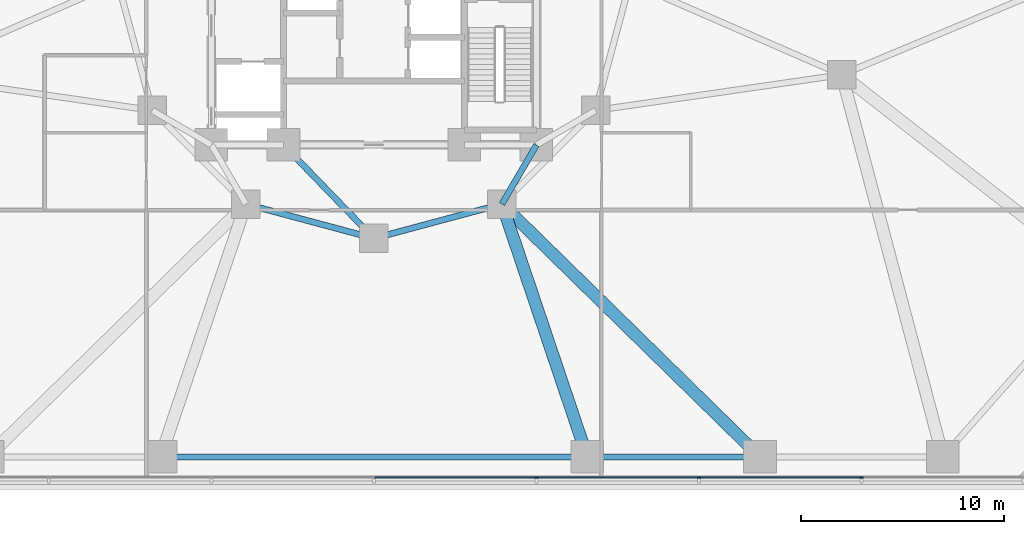
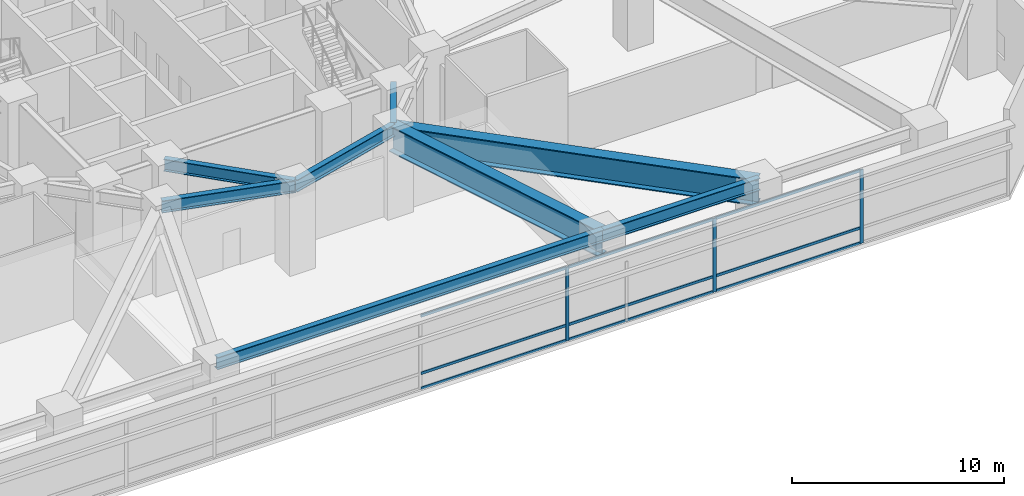
# One storey, part 7 of 27: 12 members, 8 beams, 1 element without a shape of its own.
"""IFC4 building model written with IfcOpenShell, lengths in metres."""

import ifcopenshell
import ifcopenshell.guid

model = None  # the IFC model being written
_history = None  # IfcOwnerHistory: only IFC2X3 demands one
_inside = {}  # id of a spatial element -> (the spatial element, [elements in it])
_under = {}  # id of a project, library or spatial element -> (it, [spatial elements below it])
_declared = {}  # id of a project -> (the project, [libraries it declares])
_typed = {}  # id of a type object -> (the type object, [elements of that type])
_made_of = {}  # id of a material, layer set ... -> (it, [elements and type objects made of it])


def new_model(schema):
    """Start an empty IFC model of exactly this schema.

    Asked for "IFC4X3", IfcOpenShell would pick the latest addendum, in which some entities
    have other attributes; the version numbers below select the first issue.
    IFC2X3 requires an IfcOwnerHistory on every rooted entity: one is made here for all.
    """
    global model, _history
    if schema == "IFC4X3":
        model = ifcopenshell.file(schema_version=(4, 3, 0, 0))
    else:
        model = ifcopenshell.file(schema=schema)
    _inside.clear()
    _under.clear()
    _declared.clear()
    _typed.clear()
    _made_of.clear()
    _history = None
    if model.schema == "IFC2X3":
        org = make("IfcOrganization", Name="unknown")
        user = make(
            "IfcPersonAndOrganization",
            ThePerson=make("IfcPerson", FamilyName="unknown"),
            TheOrganization=org,
        )
        app = make(
            "IfcApplication",
            ApplicationDeveloper=org,
            Version="unknown",
            ApplicationFullName="unknown",
            ApplicationIdentifier="unknown",
        )
        _history = make(
            "IfcOwnerHistory",
            OwningUser=user,
            OwningApplication=app,
            ChangeAction="ADDED",
            CreationDate=0,
        )
    return model


def make(cls, **values):
    """One entity of the class cls with the attributes given. An attribute that is None is left unset."""
    return model.create_entity(
        cls, **{name: value for name, value in values.items() if value is not None}
    )


def rooted(cls, **values):
    """An entity with a GlobalId (a new one), such as an element, a storey or a relation."""
    return make(cls, GlobalId=ifcopenshell.guid.new(), OwnerHistory=_history, **values)


def si_unit(unit_type, name, prefix=None):
    """IfcSIUnit, for example si_unit("LENGTHUNIT", "METRE", prefix="MILLI")."""
    return make("IfcSIUnit", UnitType=unit_type, Prefix=prefix, Name=name)


def assignment(units):
    """IfcUnitAssignment: the units of a project."""
    return None if units is None else make("IfcUnitAssignment", Units=units)


def point(xyz):
    """IfcCartesianPoint."""
    return None if xyz is None else make("IfcCartesianPoint", Coordinates=xyz)


def direction(xyz):
    """IfcDirection."""
    return None if xyz is None else make("IfcDirection", DirectionRatios=xyz)


def frame(location, z_axis=None, x_axis=None):
    """IfcAxis2Placement3D, a coordinate frame: its origin and axes. An axis left out is left unset."""
    return make(
        "IfcAxis2Placement3D",
        Location=point(location),
        Axis=direction(z_axis),
        RefDirection=direction(x_axis),
    )


def frame_2d(location, x_axis=None):
    """IfcAxis2Placement2D, a coordinate frame in the plane: its origin and x axis."""
    return make(
        "IfcAxis2Placement2D", Location=point(location), RefDirection=direction(x_axis)
    )


def origin():
    """The frame at (0, 0, 0) with its axes left unset."""
    return frame((0.0, 0.0, 0.0))


def origin_2d():
    """The frame at (0, 0) in the plane with its x axis left unset."""
    return frame_2d((0.0, 0.0))


def place(relative_to, where):
    """IfcLocalPlacement: puts the frame where relative to a parent placement (None: the world)."""
    return make(
        "IfcLocalPlacement", PlacementRelTo=relative_to, RelativePlacement=where
    )


def context(
    kind, dimensions, precision=None, world=None, true_north=None, identifier=None
):
    """IfcGeometricRepresentationContext, for example the 3D "Model" context."""
    return make(
        "IfcGeometricRepresentationContext",
        ContextIdentifier=identifier,
        ContextType=kind,
        CoordinateSpaceDimension=dimensions,
        Precision=precision,
        WorldCoordinateSystem=world,
        TrueNorth=true_north,
    )


def subcontext(parent, identifier, kind, view, scale=None):
    """IfcGeometricRepresentationSubContext, for example "Body" below "Model"."""
    return make(
        "IfcGeometricRepresentationSubContext",
        ContextIdentifier=identifier,
        ContextType=kind,
        ParentContext=parent,
        TargetScale=scale,
        TargetView=view,
    )


def project(units=None, contexts=None):
    """IfcProject with its units and contexts."""
    return rooted(
        "IfcProject",
        Name="project",
        RepresentationContexts=contexts,
        UnitsInContext=assignment(units),
    )


def spatial(cls, under=None, at=None, **own):
    """A site, building, storey or space (cls), placed at a placement, below another one or the project."""
    s = rooted(cls, ObjectPlacement=at, **own)
    if under is not None:
        _under.setdefault(under.id(), (under, []))[1].append(s)
    return s


def profile(cls, at=None, kind="AREA", **sizes):
    """A parametric profile (cls). Its sizes go by their IFC names, for example OverallWidth=200.0."""
    return make(cls, ProfileType=kind, Position=at, **sizes)


def rectangle(**sizes):
    """IfcRectangleProfileDef."""
    return profile("IfcRectangleProfileDef", **sizes)


def i_section(**sizes):
    """IfcIShapeProfileDef."""
    return profile("IfcIShapeProfileDef", **sizes)


def extrude(swept, where, along, depth):
    """IfcExtrudedAreaSolid: the profile swept, set in the frame where, extruded along a direction by depth."""
    return make(
        "IfcExtrudedAreaSolid",
        SweptArea=swept,
        Position=where,
        ExtrudedDirection=direction(along),
        Depth=depth,
    )


def shape(context_of_items, identifier, shape_type, items):
    """IfcShapeRepresentation: the items that make up one representation, for example the "Body"."""
    return make(
        "IfcShapeRepresentation",
        ContextOfItems=context_of_items,
        RepresentationIdentifier=identifier,
        RepresentationType=shape_type,
        Items=items,
    )


def material(Name=None, Category=None):
    """IfcMaterial."""
    return make("IfcMaterial", Name=Name, Category=Category)


def layer(
    of_material, thickness, ventilated=None, Name=None, Category=None, Priority=None
):
    """IfcMaterialLayer: one layer of a wall or slab, of a material (None: an air gap)."""
    return make(
        "IfcMaterialLayer",
        Material=of_material,
        LayerThickness=thickness,
        IsVentilated=ventilated,
        Name=Name,
        Category=Category,
        Priority=Priority,
    )


def layer_set(layers, Name=None):
    """IfcMaterialLayerSet."""
    return make("IfcMaterialLayerSet", MaterialLayers=layers, LayerSetName=Name)


def material_profile(
    of_material, cross_section, Name=None, Category=None, Priority=None
):
    """IfcMaterialProfile: a cross section and its material."""
    return make(
        "IfcMaterialProfile",
        Name=Name,
        Material=of_material,
        Profile=cross_section,
        Priority=Priority,
        Category=Category,
    )


def profile_set(profiles, Name=None, composite=None):
    """IfcMaterialProfileSet."""
    return make(
        "IfcMaterialProfileSet",
        Name=Name,
        MaterialProfiles=profiles,
        CompositeProfile=composite,
    )


def made_of(thing, what):
    """Note that an element or type object is made of a material, layer set ...; save() writes the relation."""
    if what is not None:
        _made_of.setdefault(what.id(), (what, []))[1].append(thing)
    return thing


def type_object(cls, material=None, **own):
    """A type object (cls), such as IfcWallType, which elements share."""
    return made_of(rooted(cls, **own), material)


def element(
    cls,
    number,
    at=None,
    inside=None,
    cuts=None,
    type_object=None,
    material=None,
    context=None,
    identifier="Body",
    shape_type=None,
    held_by="IfcProductDefinitionShape",
    body=None,
    shapes=None,
    **own,
):
    """One element of the class cls, such as IfcWall. Its Tag is "e" and its number.

    at: its placement. inside: the storey or other place that contains it. cuts: it is an
    opening in that element (IfcRelVoidsElement). A single representation is given by context,
    identifier, shape_type and body (its items); several are given by shapes. held_by: the class
    of the entity that holds the representations. save() writes the other relations.
    """
    e = rooted(cls, Tag="e%d" % number, ObjectPlacement=at, **own)
    if body is not None:
        shapes = [shape(context, identifier, shape_type, body)]
    if shapes is not None:
        e.Representation = make(held_by, Representations=shapes)
    if inside is not None:
        _inside.setdefault(inside.id(), (inside, []))[1].append(e)
    if cuts is not None:
        rooted(
            "IfcRelVoidsElement", RelatingBuildingElement=cuts, RelatedOpeningElement=e
        )
    if type_object is not None:
        _typed.setdefault(type_object.id(), (type_object, []))[1].append(e)
    return made_of(e, material)


def aggregate(whole, parts):
    """IfcRelAggregates: a whole, such as a stair, and the parts it consists of."""
    return rooted("IfcRelAggregates", RelatingObject=whole, RelatedObjects=parts)


def save(model, path):
    """Write the relations noted so far, then the file.

    IfcRelAggregates (storeys below a building ...), IfcRelContainedInSpatialStructure (elements
    in a storey), IfcRelDefinesByType, IfcRelAssociatesMaterial and IfcRelDeclares: one each for
    every whole, place, type object, material and project.
    """
    for whole, parts in _under.values():
        aggregate(whole, parts)
    for where, things in _inside.values():
        rooted(
            "IfcRelContainedInSpatialStructure",
            RelatedElements=things,
            RelatingStructure=where,
        )
    for kind, things in _typed.values():
        rooted("IfcRelDefinesByType", RelatedObjects=things, RelatingType=kind)
    for what, things in _made_of.values():
        rooted("IfcRelAssociatesMaterial", RelatedObjects=things, RelatingMaterial=what)
    for by, libraries in _declared.values():
        rooted("IfcRelDeclares", RelatingContext=by, RelatedDefinitions=libraries)
    model.write(path)


model = new_model("IFC4")

# Units and contexts
model_context = context("Model", 3, precision=1e-05, world=origin(), true_north=direction((0.0, 1.0)))
body_context = subcontext(model_context, "Body", "Model", "MODEL_VIEW")
ifc_project = project(units=[si_unit("LENGTHUNIT", "METRE"), si_unit("AREAUNIT", "SQUARE_METRE"), si_unit("VOLUMEUNIT", "CUBIC_METRE"), si_unit("PLANEANGLEUNIT", "RADIAN"), si_unit("MASSUNIT", "GRAM", prefix="KILO")], contexts=[model_context])

# Site, building, storey
site_placement = place(None, origin())
site = spatial("IfcSite", under=ifc_project, at=site_placement, CompositionType="ELEMENT")
building_placement = place(site_placement, origin())
building = spatial("IfcBuilding", under=site, at=building_placement, Name="Terralouvre Media Tower", CompositionType="ELEMENT")
storey_placement = place(building_placement, frame((0.0, 0.0, 5.199951171875)))
storey = spatial("IfcBuildingStorey", under=building, at=storey_placement, Name="L01", CompositionType="ELEMENT", Elevation=5.199951171875)

# Curtain wall, members
ifc_material_1 = material(Name="Low-iron laminated double glazing with solar-control coating", Category="glass")
ifc_layer = layer(ifc_material_1, 0.1650390625, Name="Podium Broadcast Gallery Glazing CW-01")
ifc_layer_set = layer_set([ifc_layer], Name="Low-iron laminated double glazing with solar-control coating")
curtain_wall_type = type_object("IfcCurtainWallType", Name="Podium Broadcast Gallery Glazing CW-01", PredefinedType="NOTDEFINED", material=ifc_layer_set)
curtain_wall_placement = place(storey_placement, origin())
curtain_wall = element("IfcCurtainWall", 1, at=curtain_wall_placement, inside=storey, type_object=curtain_wall_type, Name="L01 Podium Curtain Wall F0", PredefinedType="NOTDEFINED")
ifc_material_2 = material(Name="Anodised extruded aluminium 6063-T6", Category="aluminium")
ifc_material_profile_1 = material_profile(ifc_material_2, rectangle(XDim=0.074951171875, YDim=0.14990234375, at=origin_2d()), Name="ALU 75x150")
ifc_profile_set_1 = profile_set([ifc_material_profile_1], Name="Anodised extruded aluminium 6063-T6")
member_type_1 = type_object("IfcMemberType", Name="Curtain-Wall Horizontal Transom TR-150", PredefinedType="USERDEFINED", material=ifc_profile_set_1)
member_1_placement = place(storey_placement, frame((0.03759765625, -24.360107421875, 0.03759765625), z_axis=(1.0, 0.0, 0.0), x_axis=(0.0, 1.0, 0.0)))
member_1 = element("IfcMember", 2, at=member_1_placement, type_object=member_type_1, Name="CW-01 transom 5.1", ObjectType="TRANSOM", PredefinedType="USERDEFINED", context=body_context, shape_type="SweptSolid", body=[
    extrude(rectangle(XDim=0.074951171875, YDim=0.14990234375, at=origin_2d()), origin(), (0.0, 0.0, 1.0), 7.9248046875),
])
member_2_placement = place(storey_placement, frame((0.03759765625, -24.360107421875, 0.900146484375), z_axis=(1.0, 0.0, 0.0), x_axis=(0.0, 1.0, 0.0)))
member_2 = element("IfcMember", 3, at=member_2_placement, type_object=member_type_1, Name="CW-01 transom 5.2", ObjectType="TRANSOM", PredefinedType="USERDEFINED", context=body_context, shape_type="SweptSolid", body=[
    extrude(rectangle(XDim=0.074951171875, YDim=0.14990234375, at=origin_2d()), origin(), (0.0, 0.0, 1.0), 7.9248046875),
])
member_3_placement = place(storey_placement, frame((0.03759765625, -24.360107421875, 4.192626953125), z_axis=(1.0, 0.0, 0.0), x_axis=(0.0, 1.0, 0.0)))
member_3 = element("IfcMember", 4, at=member_3_placement, type_object=member_type_1, Name="CW-01 transom 5.3", ObjectType="TRANSOM", PredefinedType="USERDEFINED", context=body_context, shape_type="SweptSolid", body=[
    extrude(rectangle(XDim=0.074951171875, YDim=0.14990234375, at=origin_2d()), origin(), (0.0, 0.0, 1.0), 7.9248046875),
])
member_4_placement = place(storey_placement, frame((8.03759765625, -24.360107421875, 0.03759765625), z_axis=(1.0, 0.0, 0.0), x_axis=(0.0, 1.0, 0.0)))
member_4 = element("IfcMember", 5, at=member_4_placement, type_object=member_type_1, Name="CW-01 transom 6.1", ObjectType="TRANSOM", PredefinedType="USERDEFINED", context=body_context, shape_type="SweptSolid", body=[
    extrude(rectangle(XDim=0.074951171875, YDim=0.14990234375, at=origin_2d()), origin(), (0.0, 0.0, 1.0), 7.9248046875),
])
member_5_placement = place(storey_placement, frame((8.03759765625, -24.360107421875, 0.900146484375), z_axis=(1.0, 0.0, 0.0), x_axis=(0.0, 1.0, 0.0)))
member_5 = element("IfcMember", 6, at=member_5_placement, type_object=member_type_1, Name="CW-01 transom 6.2", ObjectType="TRANSOM", PredefinedType="USERDEFINED", context=body_context, shape_type="SweptSolid", body=[
    extrude(rectangle(XDim=0.074951171875, YDim=0.14990234375, at=origin_2d()), origin(), (0.0, 0.0, 1.0), 7.9248046875),
])
member_6_placement = place(storey_placement, frame((8.03759765625, -24.360107421875, 4.192626953125), z_axis=(1.0, 0.0, 0.0), x_axis=(0.0, 1.0, 0.0)))
member_6 = element("IfcMember", 7, at=member_6_placement, type_object=member_type_1, Name="CW-01 transom 6.3", ObjectType="TRANSOM", PredefinedType="USERDEFINED", context=body_context, shape_type="SweptSolid", body=[
    extrude(rectangle(XDim=0.074951171875, YDim=0.14990234375, at=origin_2d()), origin(), (0.0, 0.0, 1.0), 7.9248046875),
])
member_7_placement = place(storey_placement, frame((16.03759765625, -24.360107421875, 0.03759765625), z_axis=(1.0, 0.0, 0.0), x_axis=(0.0, 1.0, 0.0)))
member_7 = element("IfcMember", 8, at=member_7_placement, type_object=member_type_1, Name="CW-01 transom 7.1", ObjectType="TRANSOM", PredefinedType="USERDEFINED", context=body_context, shape_type="SweptSolid", body=[
    extrude(rectangle(XDim=0.074951171875, YDim=0.14990234375, at=origin_2d()), origin(), (0.0, 0.0, 1.0), 7.9248046875),
])
member_8_placement = place(storey_placement, frame((16.03759765625, -24.360107421875, 0.900146484375), z_axis=(1.0, 0.0, 0.0), x_axis=(0.0, 1.0, 0.0)))
member_8 = element("IfcMember", 9, at=member_8_placement, type_object=member_type_1, Name="CW-01 transom 7.2", ObjectType="TRANSOM", PredefinedType="USERDEFINED", context=body_context, shape_type="SweptSolid", body=[
    extrude(rectangle(XDim=0.074951171875, YDim=0.14990234375, at=origin_2d()), origin(), (0.0, 0.0, 1.0), 7.9248046875),
])
member_9_placement = place(storey_placement, frame((16.03759765625, -24.360107421875, 4.192626953125), z_axis=(1.0, 0.0, 0.0), x_axis=(0.0, 1.0, 0.0)))
member_9 = element("IfcMember", 10, at=member_9_placement, type_object=member_type_1, Name="CW-01 transom 7.3", ObjectType="TRANSOM", PredefinedType="USERDEFINED", context=body_context, shape_type="SweptSolid", body=[
    extrude(rectangle(XDim=0.074951171875, YDim=0.14990234375, at=origin_2d()), origin(), (0.0, 0.0, 1.0), 7.9248046875),
])
ifc_material_3 = material(Name="Anodised extruded aluminium 6063-T6", Category="aluminium")
ifc_material_profile_2 = material_profile(ifc_material_3, rectangle(XDim=0.074951171875, YDim=0.179931640625, at=origin_2d()), Name="ALU 75x180")
ifc_profile_set_2 = profile_set([ifc_material_profile_2], Name="Anodised extruded aluminium 6063-T6")
member_type_2 = type_object("IfcMemberType", Name="Curtain-Wall Vertical Mullion ML-180", PredefinedType="MULLION", material=ifc_profile_set_2)
member_10_placement = place(storey_placement, frame((8.0, -24.360107421875, 0.0), z_axis=(0.0, 0.0, 1.0), x_axis=(0.0, 1.0, 0.0)))
member_10 = element("IfcMember", 11, at=member_10_placement, type_object=member_type_2, Name="CW-01 mullion 6", PredefinedType="MULLION", context=body_context, shape_type="SweptSolid", body=[
    extrude(rectangle(XDim=0.074951171875, YDim=0.179931640625, at=origin_2d()), origin(), (0.0, 0.0, 1.0), 4.22998046875),
])
member_11_placement = place(storey_placement, frame((16.0, -24.360107421875, 0.0), z_axis=(0.0, 0.0, 1.0), x_axis=(0.0, 1.0, 0.0)))
member_11 = element("IfcMember", 12, at=member_11_placement, type_object=member_type_2, Name="CW-01 mullion 7", PredefinedType="MULLION", context=body_context, shape_type="SweptSolid", body=[
    extrude(rectangle(XDim=0.074951171875, YDim=0.179931640625, at=origin_2d()), origin(), (0.0, 0.0, 1.0), 4.22998046875),
])
member_12_placement = place(storey_placement, frame((24.0, -24.360107421875, 0.0), z_axis=(0.0, 0.0, 1.0), x_axis=(0.0, 1.0, 0.0)))
member_12 = element("IfcMember", 13, at=member_12_placement, type_object=member_type_2, Name="CW-01 mullion 8", PredefinedType="MULLION", context=body_context, shape_type="SweptSolid", body=[
    extrude(rectangle(XDim=0.074951171875, YDim=0.179931640625, at=origin_2d()), origin(), (0.0, 0.0, 1.0), 4.22998046875),
])
aggregate(curtain_wall, [member_10, member_11, member_12, member_1, member_2, member_3, member_4, member_5, member_6, member_7, member_8, member_9])

# Beams
ifc_material_4 = material(Name="Structural steel S460M", Category="steel")
ifc_material_profile_3 = material_profile(ifc_material_4, i_section(OverallWidth=0.300048828125, OverallDepth=0.699951171875, WebThickness=0.01708984375, FlangeThickness=0.031982421875, at=origin_2d()), Name="HEB 700")
ifc_profile_set_3 = profile_set([ifc_material_profile_3], Name="Structural steel S460M")
beam_type_1 = type_object("IfcBeamType", Name="Primary Floor Girder B-HEB700 (HEB 700)", PredefinedType="BEAM", material=ifc_profile_set_3)
for number, where, z_axis, x_axis, name in (
    (14, (-6.300048828125, -10.911865234375, 4.60009765625), (0.965920481897, -0.258838989821, 0.0), (0.258838989821, 0.965920481897, 0.0), "L01 Framing Beam BM-L01-MR02"),
    (15, (0.0, -12.60009765625, 4.60009765625), (0.965920481897, 0.258838989821, 0.0), (-0.258838989821, 0.965920481897, 0.0), "L01 Framing Beam BM-L01-MR03"),
):
    element("IfcBeam", number, at=place(storey_placement, frame(where, z_axis=z_axis, x_axis=x_axis)), inside=storey, type_object=beam_type_1, Name=name, PredefinedType="BEAM", context=body_context, shape_type="SweptSolid", body=[
        extrude(i_section(OverallWidth=0.300048828125, OverallDepth=0.699951171875, WebThickness=0.01708984375, FlangeThickness=0.031982421875, at=origin_2d()), origin(), (0.0, 0.0, 1.0), 6.522216796875),
    ])
beam_1_placement = place(storey_placement, frame((-4.449951171875, -8.0, 4.60009765625), z_axis=(0.695279715726, -0.718739255155, 0.0), x_axis=(0.718739255155, 0.695279715726, 0.0)))
element("IfcBeam", 16, at=beam_1_placement, inside=storey, type_object=beam_type_1, Name="L01 Framing Beam BM-L01-CM03", PredefinedType="BEAM", context=body_context, shape_type="SweptSolid", body=[
    extrude(i_section(OverallWidth=0.300048828125, OverallDepth=0.699951171875, WebThickness=0.01708984375, FlangeThickness=0.031982421875, at=origin_2d()), origin(), (0.0, 0.0, 1.0), 6.400146484375),
])
beam_2_placement = place(storey_placement, frame((8.0, -8.0, 4.60009765625), z_axis=(-0.504172629717, -0.863602894532, 0.0), x_axis=(0.863602894532, -0.504172629717, 0.0)))
element("IfcBeam", 17, at=beam_2_placement, inside=storey, type_object=beam_type_1, Name="L01 Framing Beam BM-L01-CM04", PredefinedType="BEAM", context=body_context, shape_type="SweptSolid", body=[
    extrude(i_section(OverallWidth=0.300048828125, OverallDepth=0.699951171875, WebThickness=0.01708984375, FlangeThickness=0.031982421875, at=origin_2d()), origin(), (0.0, 0.0, 1.0), 3.371826171875),
])
beam_3_placement = place(storey_placement, frame((-10.5, -23.35009765625, 4.60009765625), z_axis=(1.0, 0.0, 0.0), x_axis=(0.0, 1.0, 0.0)))
element("IfcBeam", 18, at=beam_3_placement, inside=storey, type_object=beam_type_1, Name="L01 Framing Beam BM-L01-PR04", PredefinedType="BEAM", context=body_context, shape_type="SweptSolid", body=[
    extrude(i_section(OverallWidth=0.300048828125, OverallDepth=0.699951171875, WebThickness=0.01708984375, FlangeThickness=0.031982421875, at=origin_2d()), origin(), (0.0, 0.0, 1.0), 21.0),
])
beam_4_placement = place(storey_placement, frame((10.5, -23.35009765625, 4.60009765625), z_axis=(1.0, 0.0, 0.0), x_axis=(0.0, 1.0, 0.0)))
element("IfcBeam", 19, at=beam_4_placement, inside=storey, type_object=beam_type_1, Name="L01 Framing Beam BM-L01-PR05", PredefinedType="BEAM", context=body_context, shape_type="SweptSolid", body=[
    extrude(i_section(OverallWidth=0.300048828125, OverallDepth=0.699951171875, WebThickness=0.01708984375, FlangeThickness=0.031982421875, at=origin_2d()), origin(), (0.0, 0.0, 1.0), 8.5),
])
ifc_material_5 = material(Name="Structural steel S460M", Category="steel")
ifc_material_profile_4 = material_profile(ifc_material_5, i_section(OverallWidth=0.60009765625, OverallDepth=1.5, WebThickness=0.033935546875, FlangeThickness=0.054931640625, at=origin_2d()), Name="PG 1500x600")
ifc_profile_set_4 = profile_set([ifc_material_profile_4], Name="Structural steel S460M")
beam_type_2 = type_object("IfcBeamType", Name="Primary Floor Girder B-PG1500 (PG 1500x600)", PredefinedType="BEAM", material=ifc_profile_set_4)
beam_5_placement = place(storey_placement, frame((6.300048828125, -10.911865234375, 4.199951171875), z_axis=(0.319918670086, -0.947445008711, 0.0), x_axis=(0.947445008711, 0.319918670086, 0.0)))
element("IfcBeam", 20, at=beam_5_placement, inside=storey, type_object=beam_type_2, Name="L01 Framing Beam BM-L01-RD05", PredefinedType="BEAM", context=body_context, shape_type="SweptSolid", body=[
    extrude(i_section(OverallWidth=0.60009765625, OverallDepth=1.5, WebThickness=0.033935546875, FlangeThickness=0.054931640625, at=origin_2d()), origin(), (0.0, 0.0, 1.0), 13.128173828125),
])
beam_6_placement = place(storey_placement, frame((6.300048828125, -10.911865234375, 4.199951171875), z_axis=(0.714429895313, -0.69970702775, 0.0), x_axis=(0.69970702775, 0.714429895313, 0.0)))
element("IfcBeam", 21, at=beam_6_placement, inside=storey, type_object=beam_type_2, Name="L01 Framing Beam BM-L01-RD06", PredefinedType="BEAM", context=body_context, shape_type="SweptSolid", body=[
    extrude(i_section(OverallWidth=0.60009765625, OverallDepth=1.5, WebThickness=0.033935546875, FlangeThickness=0.054931640625, at=origin_2d()), origin(), (0.0, 0.0, 1.0), 17.7763671875),
])

save(model, "model.ifc")
